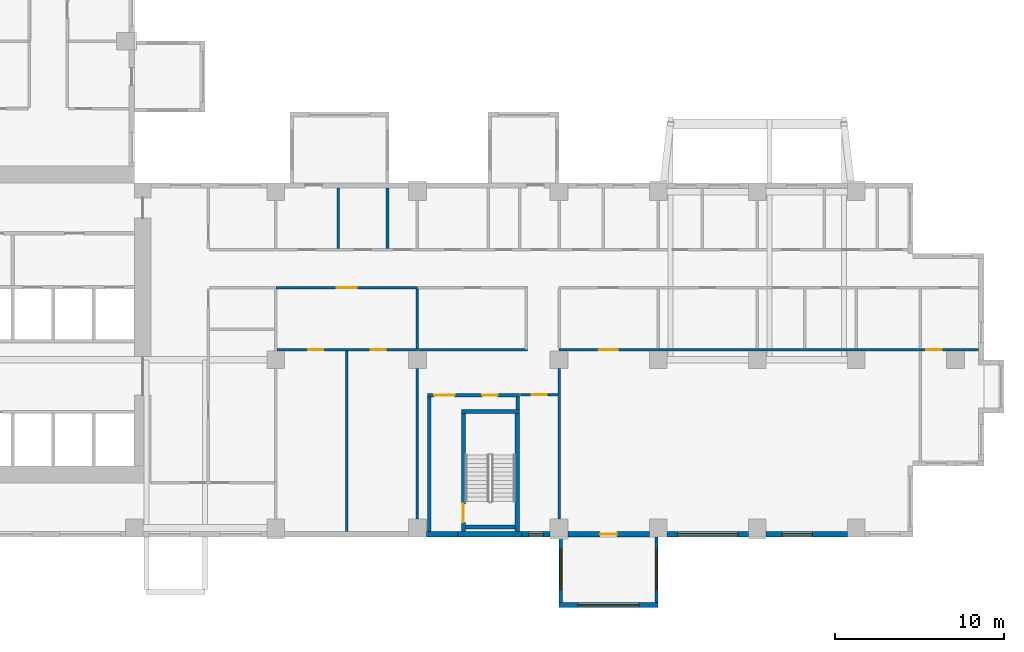
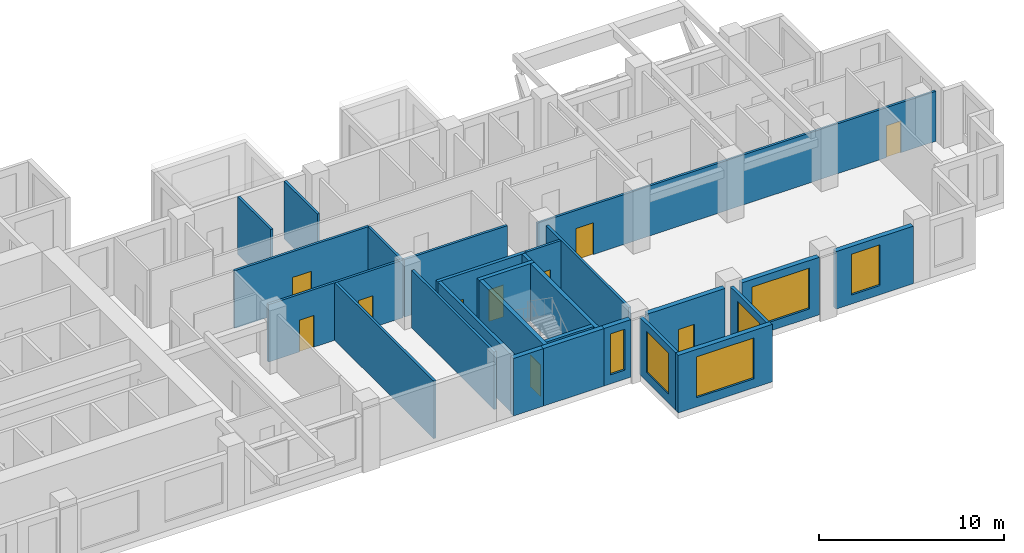
# One storey, part 4 of 15: 27 walls, 10 doors, 6 windows, 16 openings.
"""IFC4 building model written with IfcOpenShell, lengths in metres."""

from ifc_helpers import new_model, si_unit, direction, frame, frame_2d, origin, place, context, subcontext, project, spatial, rectangle, extrude, source, transform, mapped, material, layer, layer_set, type_object, element, fill, save


model = new_model("IFC4")

# Units and contexts
model_context = context("Model", 3, precision=1e-05, world=origin(), true_north=direction((0.0, 1.0)))
body_context = subcontext(model_context, "Body", "Model", "MODEL_VIEW")
ifc_project = project(units=[si_unit("LENGTHUNIT", "METRE"), si_unit("AREAUNIT", "SQUARE_METRE"), si_unit("VOLUMEUNIT", "CUBIC_METRE"), si_unit("PLANEANGLEUNIT", "RADIAN"), si_unit("MASSUNIT", "GRAM", prefix="KILO")], contexts=[model_context])

# Site, building, storey
site_placement = place(None, origin())
site = spatial("IfcSite", under=ifc_project, at=site_placement, CompositionType="ELEMENT")
building_placement = place(site_placement, origin())
building = spatial("IfcBuilding", under=site, at=building_placement, Name="Aurelian Terraces", CompositionType="ELEMENT")
storey_placement = place(building_placement, frame((0.0, 0.0, 107.7)))
storey = spatial("IfcBuildingStorey", under=building, at=storey_placement, Name="L23", CompositionType="ELEMENT", Elevation=107.7)

# Walls
ifc_material_1 = material(Name="Terracotta rainscreen cladding", Category="masonry")
ifc_layer_1 = layer(ifc_material_1, 0.3)
ifc_layer_set_1 = layer_set([ifc_layer_1], Name="EW-300")
wall_type_1 = type_object("IfcWallType", Name="EW-300", PredefinedType="STANDARD", material=ifc_layer_set_1)
wall_1_placement = place(storey_placement, frame((38.325, 0.15, 0.0), z_axis=(0.0, 0.0, 1.0), x_axis=(1.0, 0.0, 0.0)))
element("IfcWall", 1, at=wall_1_placement, inside=storey, type_object=wall_type_1, Name="External wall L23 F01.6", PredefinedType="STANDARD", context=body_context, shape_type="SweptSolid", body=[
    extrude(rectangle(XDim=1.875, YDim=0.3, at=frame_2d((0.9375, 0.0))), origin(), (0.0, 0.0, 1.0), 3.8),
])
ifc_material_2 = material(Name="Gypsum board on steel studs", Category="steel")
ifc_layer_2 = layer(ifc_material_2, 0.15)
ifc_layer_set_2 = layer_set([ifc_layer_2], Name="Partition 150")
wall_type_2 = type_object("IfcWallType", Name="Partition 150", PredefinedType="PARTITIONING", material=ifc_layer_set_2)
wall_2_placement = place(storey_placement, frame((33.6, 0.3, 0.0), z_axis=(0.0, 0.0, 1.0), x_axis=(0.0, 1.0, 0.0)))
element("IfcWall", 2, at=wall_2_placement, inside=storey, type_object=wall_type_2, Name="Partition", PredefinedType="PARTITIONING", context=body_context, shape_type="SweptSolid", body=[
    extrude(rectangle(XDim=10.725, YDim=0.15, at=frame_2d((5.3625, 0.0))), origin(), (0.0, 0.0, 1.0), 3.8),
])
wall_3_placement = place(storey_placement, frame((37.8, 11.175, 0.0), z_axis=(0.0, 0.0, 1.0), x_axis=(0.0, 1.0, 0.0)))
element("IfcWall", 3, at=wall_3_placement, inside=storey, type_object=wall_type_2, Name="Partition", PredefinedType="PARTITIONING", context=body_context, shape_type="SweptSolid", body=[
    extrude(rectangle(XDim=3.525, YDim=0.15, at=frame_2d((1.7625, 0.0))), origin(), (0.0, 0.0, 1.0), 3.8),
])
ifc_material_3 = material(Name="Concrete fc' 40 MPa", Category="concrete")
ifc_layer_3 = layer(ifc_material_3, 0.3)
ifc_layer_set_3 = layer_set([ifc_layer_3], Name="STAIR BAY WALL 300")
wall_type_3 = type_object("IfcWallType", Name="STAIR BAY WALL 300", PredefinedType="SOLIDWALL", material=ifc_layer_set_3)
shared_shape_1 = source(origin(), body_context, "Body", "SweptSolid", [
    extrude(rectangle(XDim=3.8, YDim=0.3, at=frame_2d((1.9, 0.0))), origin(), (0.0, 0.0, 1.0), 3.8),
])
wall_4_placement = place(storey_placement, frame((40.2, 0.15, 0.0), z_axis=(0.0, 0.0, 1.0), x_axis=(1.0, 0.0, 0.0)))
element("IfcWall", 4, at=wall_4_placement, inside=storey, type_object=wall_type_3, Name="Stair bay wall L23 F01.6", PredefinedType="SOLIDWALL", context=body_context, shape_type="MappedRepresentation", body=[
    mapped(shared_shape_1, transform((0.0, 0.0, 0.0), scale=1.0)),
])

# Wall, opening, window
ifc_layer_4 = layer(ifc_material_3, 0.2)
ifc_layer_set_4 = layer_set([ifc_layer_4], Name="BOX BEARING WALL 200")
wall_type_4 = type_object("IfcWallType", Name="BOX BEARING WALL 200", PredefinedType="SOLIDWALL", material=ifc_layer_set_4)
shared_shape_2 = source(origin(), body_context, "Body", "SweptSolid", [
    extrude(rectangle(XDim=3.9, YDim=0.2, at=frame_2d((1.95, 0.0))), origin(), (0.0, 0.0, 1.0), 3.79),
])
wall_5_placement = place(storey_placement, frame((46.3, 0.0, 0.0), z_axis=(0.0, 0.0, 1.0), x_axis=(0.0, -1.0, 0.0)))
wall_5 = element("IfcWall", 5, at=wall_5_placement, inside=storey, type_object=wall_type_4, Name="Box return L23 J31.1", PredefinedType="SOLIDWALL", context=body_context, shape_type="MappedRepresentation", body=[
    mapped(shared_shape_2, transform((0.0, 0.0, 0.0), scale=1.0)),
])
shared_shape_3 = source(origin(), body_context, "Body", "SweptSolid", [
    extrude(rectangle(XDim=2.4, YDim=2.7, at=frame_2d((1.2, 1.35))), frame((0.0, 0.11, 0.0), z_axis=(0.0, -1.0, 0.0), x_axis=(1.0, 0.0, 0.0)), (0.0, 0.0, 1.0), 0.22),
])
opening_1_placement = place(wall_5_placement, frame((0.75, 0.0, 0.6)))
opening_1 = element("IfcOpeningElement", 6, at=opening_1_placement, cuts=wall_5, Name="Opening W2427", PredefinedType="OPENING", context=body_context, shape_type="MappedRepresentation", body=[
    mapped(shared_shape_3, transform((0.0, 0.0, 0.0), scale=1.0)),
])
ifc_material_4 = material(Name="Clear glazing", Category="glass")
window_type_1 = type_object("IfcWindowType", Name="W-2400x2700", PartitioningType="SINGLE_PANEL", PredefinedType="WINDOW", material=ifc_material_4)
shared_shape_4 = source(origin(), body_context, "Body", "SweptSolid", [
    extrude(rectangle(XDim=2.4, YDim=2.7, at=frame_2d((1.2, 1.35))), frame((0.0, 0.03, 0.0), z_axis=(0.0, -1.0, 0.0), x_axis=(1.0, 0.0, 0.0)), (0.0, 0.0, 1.0), 0.06),
])
window_1_placement = place(opening_1_placement, origin())
window_1 = element("IfcWindow", 7, at=window_1_placement, inside=storey, type_object=window_type_1, Name="Window L23 J31-S1", OverallHeight=2.7, OverallWidth=2.4, PartitioningType="SINGLE_PANEL", PredefinedType="WINDOW", context=body_context, shape_type="MappedRepresentation", body=[
    mapped(shared_shape_4, transform((0.0, 0.0, 0.0), scale=1.0)),
])
fill(opening_1, window_1)

wall_6_placement = place(storey_placement, frame((51.98, 0.0, 0.0), z_axis=(0.0, 0.0, 1.0), x_axis=(0.0, -1.0, 0.0)))
wall_6 = element("IfcWall", 8, at=wall_6_placement, inside=storey, type_object=wall_type_4, Name="Box return L23 J31.2", PredefinedType="SOLIDWALL", context=body_context, shape_type="MappedRepresentation", body=[
    mapped(shared_shape_2, transform((0.0, 0.0, 0.0), scale=1.0)),
])
opening_2_placement = place(wall_6_placement, frame((0.75, 0.0, 0.6)))
opening_2 = element("IfcOpeningElement", 9, at=opening_2_placement, cuts=wall_6, Name="Opening W2427", PredefinedType="OPENING", context=body_context, shape_type="MappedRepresentation", body=[
    mapped(shared_shape_3, transform((0.0, 0.0, 0.0), scale=1.0)),
])
window_2_placement = place(opening_2_placement, origin())
window_2 = element("IfcWindow", 10, at=window_2_placement, inside=storey, type_object=window_type_1, Name="Window L23 J31-S2", OverallHeight=2.7, OverallWidth=2.4, PartitioningType="SINGLE_PANEL", PredefinedType="WINDOW", context=body_context, shape_type="MappedRepresentation", body=[
    mapped(shared_shape_4, transform((0.0, 0.0, 0.0), scale=1.0)),
])
fill(opening_2, window_2)

ifc_layer_5 = layer(ifc_material_3, 0.3)
ifc_layer_set_5 = layer_set([ifc_layer_5], Name="BOX BEARING WALL 300")
wall_type_5 = type_object("IfcWallType", Name="BOX BEARING WALL 300", PredefinedType="SOLIDWALL", material=ifc_layer_set_5)
shared_shape_5 = source(origin(), body_context, "Body", "SweptSolid", [
    extrude(rectangle(XDim=5.88, YDim=0.3, at=frame_2d((2.94, 0.0))), origin(), (0.0, 0.0, 1.0), 3.79),
])
wall_7_placement = place(storey_placement, frame((46.2, -4.05, 0.0), z_axis=(0.0, 0.0, 1.0), x_axis=(1.0, 0.0, 0.0)))
wall_7 = element("IfcWall", 11, at=wall_7_placement, inside=storey, type_object=wall_type_5, Name="Box wall L23 J31", PredefinedType="SOLIDWALL", context=body_context, shape_type="MappedRepresentation", body=[
    mapped(shared_shape_5, transform((0.0, 0.0, 0.0), scale=1.0)),
])
shared_shape_6 = source(origin(), body_context, "Body", "SweptSolid", [
    extrude(rectangle(XDim=3.6, YDim=2.7, at=frame_2d((1.8, 1.35))), frame((0.0, 0.16, 0.0), z_axis=(0.0, -1.0, 0.0), x_axis=(1.0, 0.0, 0.0)), (0.0, 0.0, 1.0), 0.32),
])
opening_3_placement = place(wall_7_placement, frame((1.14, 0.0, 0.6)))
opening_3 = element("IfcOpeningElement", 12, at=opening_3_placement, cuts=wall_7, Name="Opening W3627", PredefinedType="OPENING", context=body_context, shape_type="MappedRepresentation", body=[
    mapped(shared_shape_6, transform((0.0, 0.0, 0.0), scale=1.0)),
])
window_type_2 = type_object("IfcWindowType", Name="W-3600x2700", PartitioningType="SINGLE_PANEL", PredefinedType="WINDOW", material=ifc_material_4)
shared_shape_7 = source(origin(), body_context, "Body", "SweptSolid", [
    extrude(rectangle(XDim=3.6, YDim=2.7, at=frame_2d((1.8, 1.35))), frame((0.0, 0.03, 0.0), z_axis=(0.0, -1.0, 0.0), x_axis=(1.0, 0.0, 0.0)), (0.0, 0.0, 1.0), 0.06),
])
window_3_placement = place(opening_3_placement, origin())
window_3 = element("IfcWindow", 13, at=window_3_placement, inside=storey, type_object=window_type_2, Name="Window L23 J31-F1", OverallHeight=2.7, OverallWidth=3.6, PartitioningType="SINGLE_PANEL", PredefinedType="WINDOW", context=body_context, shape_type="MappedRepresentation", body=[
    mapped(shared_shape_7, transform((0.0, 0.0, 0.0), scale=1.0)),
])
fill(opening_3, window_3)

# Wall, opening, door
shared_shape_8 = source(origin(), body_context, "Body", "SweptSolid", [
    extrude(rectangle(XDim=4.83, YDim=0.3, at=frame_2d((2.415, 0.0))), origin(), (0.0, 0.0, 1.0), 3.8),
])
wall_8_placement = place(storey_placement, frame((46.725, 0.15, 0.0), z_axis=(0.0, 0.0, 1.0), x_axis=(1.0, 0.0, 0.0)))
wall_8 = element("IfcWall", 14, at=wall_8_placement, inside=storey, type_object=wall_type_1, Name="External wall L23 F01.7", PredefinedType="STANDARD", context=body_context, shape_type="MappedRepresentation", body=[
    mapped(shared_shape_8, transform((0.0, 0.0, 0.0), scale=1.0)),
])
shared_shape_9 = source(origin(), body_context, "Body", "SweptSolid", [
    extrude(rectangle(XDim=1.0, YDim=2.1, at=frame_2d((0.5, 1.05))), frame((0.0, 0.16, 0.0), z_axis=(0.0, -1.0, 0.0), x_axis=(1.0, 0.0, 0.0)), (0.0, 0.0, 1.0), 0.32),
])
opening_4_placement = place(wall_8_placement, frame((1.915, 0.0, 0.0)))
opening_4 = element("IfcOpeningElement", 15, at=opening_4_placement, cuts=wall_8, Name="Opening 823003", PredefinedType="OPENING", context=body_context, shape_type="MappedRepresentation", body=[
    mapped(shared_shape_9, transform((0.0, 0.0, 0.0), scale=1.0)),
])
ifc_material_5 = material(Name="Timber door leaf", Category="wood")
door_type_1 = type_object("IfcDoorType", Name="Room door 1000x2100 left", OperationType="SINGLE_SWING_LEFT", PredefinedType="DOOR", material=ifc_material_5)
shared_shape_10 = source(origin(), body_context, "Body", "SweptSolid", [
    extrude(rectangle(XDim=1.0, YDim=2.1, at=frame_2d((0.5, 1.05))), frame((0.0, 0.025, 0.0), z_axis=(0.0, -1.0, 0.0), x_axis=(1.0, 0.0, 0.0)), (0.0, 0.0, 1.0), 0.05),
])
door_1_placement = place(opening_4_placement, origin())
door_1 = element("IfcDoor", 16, at=door_1_placement, inside=storey, type_object=door_type_1, Name="Door 823003", OperationType="SINGLE_SWING_LEFT", OverallHeight=2.1, OverallWidth=1.0, PredefinedType="DOOR", context=body_context, shape_type="MappedRepresentation", body=[
    mapped(shared_shape_10, transform((0.0, 0.0, 0.0), scale=1.0)),
])
fill(opening_4, door_1)

# Wall, opening, window
wall_9_placement = place(storey_placement, frame((52.605, 0.15, 0.0), z_axis=(0.0, 0.0, 1.0), x_axis=(1.0, 0.0, 0.0)))
wall_9 = element("IfcWall", 17, at=wall_9_placement, inside=storey, type_object=wall_type_1, Name="External wall L23 F01.8", PredefinedType="STANDARD", context=body_context, shape_type="MappedRepresentation", body=[
    mapped(shared_shape_8, transform((0.0, 0.0, 0.0), scale=1.0)),
])
opening_5_placement = place(wall_9_placement, frame((0.615, 0.0, 0.6)))
opening_5 = element("IfcOpeningElement", 18, at=opening_5_placement, cuts=wall_9, Name="Opening W3627", PredefinedType="OPENING", context=body_context, shape_type="MappedRepresentation", body=[
    mapped(shared_shape_6, transform((0.0, 0.0, 0.0), scale=1.0)),
])
window_4_placement = place(opening_5_placement, origin())
window_4 = element("IfcWindow", 19, at=window_4_placement, inside=storey, type_object=window_type_2, Name="Window L23 L23-F01-08-0", OverallHeight=2.7, OverallWidth=3.6, PartitioningType="SINGLE_PANEL", PredefinedType="WINDOW", context=body_context, shape_type="MappedRepresentation", body=[
    mapped(shared_shape_7, transform((0.0, 0.0, 0.0), scale=1.0)),
])
fill(opening_5, window_4)

wall_10_placement = place(storey_placement, frame((58.485, 0.15, 0.0), z_axis=(0.0, 0.0, 1.0), x_axis=(1.0, 0.0, 0.0)))
wall_10 = element("IfcWall", 20, at=wall_10_placement, inside=storey, type_object=wall_type_1, Name="External wall L23 F01.9", PredefinedType="STANDARD", context=body_context, shape_type="MappedRepresentation", body=[
    mapped(shared_shape_8, transform((0.0, 0.0, 0.0), scale=1.0)),
])
shared_shape_11 = source(origin(), body_context, "Body", "SweptSolid", [
    extrude(rectangle(XDim=1.8, YDim=2.7, at=frame_2d((0.9, 1.35))), frame((0.0, 0.16, 0.0), z_axis=(0.0, -1.0, 0.0), x_axis=(1.0, 0.0, 0.0)), (0.0, 0.0, 1.0), 0.32),
])
opening_6_placement = place(wall_10_placement, frame((0.9525, 0.0, 0.6)))
opening_6 = element("IfcOpeningElement", 21, at=opening_6_placement, cuts=wall_10, Name="Opening W1827", PredefinedType="OPENING", context=body_context, shape_type="MappedRepresentation", body=[
    mapped(shared_shape_11, transform((0.0, 0.0, 0.0), scale=1.0)),
])
window_type_3 = type_object("IfcWindowType", Name="W-1800x2700", PartitioningType="SINGLE_PANEL", PredefinedType="WINDOW", material=ifc_material_4)
shared_shape_12 = source(origin(), body_context, "Body", "SweptSolid", [
    extrude(rectangle(XDim=1.8, YDim=2.7, at=frame_2d((0.9, 1.35))), frame((0.0, 0.03, 0.0), z_axis=(0.0, -1.0, 0.0), x_axis=(1.0, 0.0, 0.0)), (0.0, 0.0, 1.0), 0.06),
])
window_5_placement = place(opening_6_placement, origin())
window_5 = element("IfcWindow", 22, at=window_5_placement, inside=storey, type_object=window_type_3, Name="Window L23 L23-F01-09-0", OverallHeight=2.7, OverallWidth=1.8, PartitioningType="SINGLE_PANEL", PredefinedType="WINDOW", context=body_context, shape_type="MappedRepresentation", body=[
    mapped(shared_shape_12, transform((0.0, 0.0, 0.0), scale=1.0)),
])
fill(opening_6, window_5)

shared_shape_13 = source(origin(), body_context, "Body", "SweptSolid", [
    extrude(rectangle(XDim=1.675, YDim=0.3, at=frame_2d((0.8375, 0.0))), origin(), (0.0, 0.0, 1.0), 3.8),
])
wall_11_placement = place(storey_placement, frame((44.0, 0.15, 0.0), z_axis=(0.0, 0.0, 1.0), x_axis=(1.0, 0.0, 0.0)))
wall_11 = element("IfcWall", 23, at=wall_11_placement, inside=storey, type_object=wall_type_1, Name="External wall L23 F01.6", PredefinedType="STANDARD", context=body_context, shape_type="MappedRepresentation", body=[
    mapped(shared_shape_13, transform((0.0, 0.0, 0.0), scale=1.0)),
])
shared_shape_14 = source(origin(), body_context, "Body", "SweptSolid", [
    extrude(rectangle(XDim=0.9, YDim=2.7, at=frame_2d((0.45, 1.35))), frame((0.0, 0.16, 0.0), z_axis=(0.0, -1.0, 0.0), x_axis=(1.0, 0.0, 0.0)), (0.0, 0.0, 1.0), 0.32),
])
opening_7_placement = place(wall_11_placement, frame((0.3875, 0.0, 0.6)))
opening_7 = element("IfcOpeningElement", 24, at=opening_7_placement, cuts=wall_11, Name="Opening W0927", PredefinedType="OPENING", context=body_context, shape_type="MappedRepresentation", body=[
    mapped(shared_shape_14, transform((0.0, 0.0, 0.0), scale=1.0)),
])
window_type_4 = type_object("IfcWindowType", Name="W-900x2700", PartitioningType="SINGLE_PANEL", PredefinedType="WINDOW", material=ifc_material_4)
shared_shape_15 = source(origin(), body_context, "Body", "SweptSolid", [
    extrude(rectangle(XDim=0.9, YDim=2.7, at=frame_2d((0.45, 1.35))), frame((0.0, 0.03, 0.0), z_axis=(0.0, -1.0, 0.0), x_axis=(1.0, 0.0, 0.0)), (0.0, 0.0, 1.0), 0.06),
])
window_6_placement = place(opening_7_placement, origin())
window_6 = element("IfcWindow", 25, at=window_6_placement, inside=storey, type_object=window_type_4, Name="Window L23 L23-F01-06-P2", OverallHeight=2.7, OverallWidth=0.9, PartitioningType="SINGLE_PANEL", PredefinedType="WINDOW", context=body_context, shape_type="MappedRepresentation", body=[
    mapped(shared_shape_15, transform((0.0, 0.0, 0.0), scale=1.0)),
])
fill(opening_7, window_6)

# Wall, opening, door
ifc_layer_6 = layer(ifc_material_3, 0.25)
ifc_layer_set_6 = layer_set([ifc_layer_6], Name="Stair enclosure wall 250")
wall_type_6 = type_object("IfcWallType", Name="Stair enclosure wall 250", PredefinedType="SOLIDWALL", material=ifc_layer_set_6)
shared_shape_16 = source(origin(), body_context, "Body", "SweptSolid", [
    extrude(rectangle(XDim=7.0, YDim=0.25, at=frame_2d((3.5, 0.0))), origin(), (0.0, 0.0, 1.0), 3.8),
])
wall_12_placement = place(storey_placement, frame((40.525, 0.3, 0.0), z_axis=(0.0, 0.0, 1.0), x_axis=(0.0, 1.0, 0.0)))
wall_12 = element("IfcWall", 26, at=wall_12_placement, inside=storey, type_object=wall_type_6, Name="L23 core wall ST-S2-W", PredefinedType="SOLIDWALL", context=body_context, shape_type="MappedRepresentation", body=[
    mapped(shared_shape_16, transform((0.0, 0.0, 0.0), scale=1.0)),
])
shared_shape_17 = source(origin(), body_context, "Body", "SweptSolid", [
    extrude(rectangle(XDim=1.1, YDim=2.1, at=frame_2d((0.55, 1.05))), frame((0.0, 0.135, 0.0), z_axis=(0.0, -1.0, 0.0), x_axis=(1.0, 0.0, 0.0)), (0.0, 0.0, 1.0), 0.27),
])
opening_8_placement = place(wall_12_placement, frame((0.55, 0.0, 0.0)))
opening_8 = element("IfcOpeningElement", 27, at=opening_8_placement, cuts=wall_12, Name="Opening 62614", PredefinedType="OPENING", context=body_context, shape_type="MappedRepresentation", body=[
    mapped(shared_shape_17, transform((0.0, 0.0, 0.0), scale=1.0)),
])
ifc_material_6 = material(Name="Steel door leaf", Category="steel")
door_type_2 = type_object("IfcDoorType", Name="Core fire door 1100x2100", OperationType="SINGLE_SWING_LEFT", PredefinedType="DOOR", material=ifc_material_6)
shared_shape_18 = source(origin(), body_context, "Body", "SweptSolid", [
    extrude(rectangle(XDim=1.1, YDim=2.1, at=frame_2d((0.55, 1.05))), frame((0.0, 0.025, 0.0), z_axis=(0.0, -1.0, 0.0), x_axis=(1.0, 0.0, 0.0)), (0.0, 0.0, 1.0), 0.05),
])
door_2_placement = place(opening_8_placement, origin())
door_2 = element("IfcDoor", 28, at=door_2_placement, inside=storey, type_object=door_type_2, Name="Stair door 62614", OperationType="SINGLE_SWING_LEFT", OverallHeight=2.1, OverallWidth=1.1, PredefinedType="DOOR", context=body_context, shape_type="MappedRepresentation", body=[
    mapped(shared_shape_18, transform((0.0, 0.0, 0.0), scale=1.0)),
])
fill(opening_8, door_2)

# Walls
wall_13_placement = place(storey_placement, frame((43.725, 0.3, 0.0), z_axis=(0.0, 0.0, 1.0), x_axis=(0.0, 1.0, 0.0)))
element("IfcWall", 29, at=wall_13_placement, inside=storey, type_object=wall_type_6, Name="L23 core wall ST-S2-E", PredefinedType="SOLIDWALL", context=body_context, shape_type="MappedRepresentation", body=[
    mapped(shared_shape_16, transform((0.0, 0.0, 0.0), scale=1.0)),
])
shared_shape_19 = source(origin(), body_context, "Body", "SweptSolid", [
    extrude(rectangle(XDim=3.45, YDim=0.25, at=frame_2d((1.725, 0.0))), origin(), (0.0, 0.0, 1.0), 3.8),
])
wall_14_placement = place(storey_placement, frame((40.4, 7.425, 0.0), z_axis=(0.0, 0.0, 1.0), x_axis=(1.0, 0.0, 0.0)))
element("IfcWall", 30, at=wall_14_placement, inside=storey, type_object=wall_type_6, Name="L23 core wall ST-S2-N", PredefinedType="SOLIDWALL", context=body_context, shape_type="MappedRepresentation", body=[
    mapped(shared_shape_19, transform((0.0, 0.0, 0.0), scale=1.0)),
])
shared_shape_20 = source(origin(), body_context, "Body", "SweptSolid", [
    extrude(rectangle(XDim=2.95, YDim=0.25, at=frame_2d((1.475, 0.0))), origin(), (0.0, 0.0, 1.0), 3.8),
])
wall_15_placement = place(storey_placement, frame((40.65, 0.575, 0.0), z_axis=(0.0, 0.0, 1.0), x_axis=(1.0, 0.0, 0.0)))
element("IfcWall", 31, at=wall_15_placement, inside=storey, type_object=wall_type_6, Name="L23 core wall ST-S2-SS", PredefinedType="SOLIDWALL", context=body_context, shape_type="MappedRepresentation", body=[
    mapped(shared_shape_20, transform((0.0, 0.0, 0.0), scale=1.0)),
])
ifc_layer_7 = layer(ifc_material_2, 0.2)
ifc_layer_set_7 = layer_set([ifc_layer_7], Name="Core partition 200")
wall_type_7 = type_object("IfcWallType", Name="Core partition 200", PredefinedType="PARTITIONING", material=ifc_layer_set_7)
shared_shape_21 = source(origin(), body_context, "Body", "SweptSolid", [
    extrude(rectangle(XDim=8.0, YDim=0.2, at=frame_2d((4.0, 0.0))), origin(), (0.0, 0.0, 1.0), 3.8),
])
wall_16_placement = place(storey_placement, frame((38.5, 0.3, 0.0), z_axis=(0.0, 0.0, 1.0), x_axis=(0.0, 1.0, 0.0)))
element("IfcWall", 32, at=wall_16_placement, inside=storey, type_object=wall_type_7, Name="L23 core wall ST-S2-VW", PredefinedType="PARTITIONING", context=body_context, shape_type="MappedRepresentation", body=[
    mapped(shared_shape_21, transform((0.0, 0.0, 0.0), scale=1.0)),
])

# Wall, openings, doors
shared_shape_22 = source(origin(), body_context, "Body", "SweptSolid", [
    extrude(rectangle(XDim=5.45, YDim=0.2, at=frame_2d((2.725, 0.0))), origin(), (0.0, 0.0, 1.0), 3.8),
])
wall_17_placement = place(storey_placement, frame((38.4, 8.4, 0.0), z_axis=(0.0, 0.0, 1.0), x_axis=(1.0, 0.0, 0.0)))
wall_17 = element("IfcWall", 33, at=wall_17_placement, inside=storey, type_object=wall_type_7, Name="L23 core wall ST-S2-BN", PredefinedType="PARTITIONING", context=body_context, shape_type="MappedRepresentation", body=[
    mapped(shared_shape_22, transform((0.0, 0.0, 0.0), scale=1.0)),
])
shared_shape_23 = source(origin(), body_context, "Body", "SweptSolid", [
    extrude(rectangle(XDim=1.2, YDim=2.1, at=frame_2d((0.6, 1.05))), frame((0.0, 0.11, 0.0), z_axis=(0.0, -1.0, 0.0), x_axis=(1.0, 0.0, 0.0)), (0.0, 0.0, 1.0), 0.22),
])
opening_9_placement = place(wall_17_placement, frame((0.4, 0.0, 0.0)))
opening_9 = element("IfcOpeningElement", 34, at=opening_9_placement, cuts=wall_17, Name="Opening 62615", PredefinedType="OPENING", context=body_context, shape_type="MappedRepresentation", body=[
    mapped(shared_shape_23, transform((0.0, 0.0, 0.0), scale=1.0)),
])
shared_shape_24 = source(origin(), body_context, "Body", "SweptSolid", [
    extrude(rectangle(XDim=0.9, YDim=2.1, at=frame_2d((0.45, 1.05))), frame((0.0, 0.11, 0.0), z_axis=(0.0, -1.0, 0.0), x_axis=(1.0, 0.0, 0.0)), (0.0, 0.0, 1.0), 0.22),
])
opening_10_placement = place(wall_17_placement, frame((3.25, 0.0, 0.0)))
opening_10 = element("IfcOpeningElement", 35, at=opening_10_placement, cuts=wall_17, Name="Opening 62616", PredefinedType="OPENING", context=body_context, shape_type="MappedRepresentation", body=[
    mapped(shared_shape_24, transform((0.0, 0.0, 0.0), scale=1.0)),
])
door_type_3 = type_object("IfcDoorType", Name="Core riser door 900x2100", OperationType="SINGLE_SWING_LEFT", PredefinedType="DOOR", material=ifc_material_6)
shared_shape_25 = source(origin(), body_context, "Body", "SweptSolid", [
    extrude(rectangle(XDim=0.9, YDim=2.1, at=frame_2d((0.45, 1.05))), frame((0.0, 0.025, 0.0), z_axis=(0.0, -1.0, 0.0), x_axis=(1.0, 0.0, 0.0)), (0.0, 0.0, 1.0), 0.05),
])
door_3_placement = place(opening_10_placement, origin())
door_3 = element("IfcDoor", 36, at=door_3_placement, inside=storey, type_object=door_type_3, Name="Riser door 62616", OperationType="SINGLE_SWING_LEFT", OverallHeight=2.1, OverallWidth=0.9, PredefinedType="DOOR", context=body_context, shape_type="MappedRepresentation", body=[
    mapped(shared_shape_25, transform((0.0, 0.0, 0.0), scale=1.0)),
])
fill(opening_10, door_3)
door_type_4 = type_object("IfcDoorType", Name="Core fire door 1200x2100 right", OperationType="SINGLE_SWING_RIGHT", PredefinedType="DOOR", material=ifc_material_6)
shared_shape_26 = source(origin(), body_context, "Body", "SweptSolid", [
    extrude(rectangle(XDim=1.2, YDim=2.1, at=frame_2d((0.6, 1.05))), frame((0.0, 0.025, 0.0), z_axis=(0.0, -1.0, 0.0), x_axis=(1.0, 0.0, 0.0)), (0.0, 0.0, 1.0), 0.05),
])
door_4_placement = place(opening_9_placement, origin())
door_4 = element("IfcDoor", 37, at=door_4_placement, inside=storey, type_object=door_type_4, Name="Vestibule door 62615", OperationType="SINGLE_SWING_RIGHT", OverallHeight=2.1, OverallWidth=1.2, PredefinedType="DOOR", context=body_context, shape_type="MappedRepresentation", body=[
    mapped(shared_shape_26, transform((0.0, 0.0, 0.0), scale=1.0)),
])
fill(opening_9, door_4)

# Walls
shared_shape_27 = source(origin(), body_context, "Body", "SweptSolid", [
    extrude(rectangle(XDim=0.75, YDim=0.2, at=frame_2d((0.375, 0.0))), origin(), (0.0, 0.0, 1.0), 3.8),
])
wall_18_placement = place(storey_placement, frame((43.75, 7.55, 0.0), z_axis=(0.0, 0.0, 1.0), x_axis=(0.0, 1.0, 0.0)))
element("IfcWall", 38, at=wall_18_placement, inside=storey, type_object=wall_type_7, Name="L23 core wall ST-S2-RE", PredefinedType="PARTITIONING", context=body_context, shape_type="MappedRepresentation", body=[
    mapped(shared_shape_27, transform((0.0, 0.0, 0.0), scale=1.0)),
])
shared_shape_28 = source(origin(), body_context, "Body", "SweptSolid", [
    extrude(rectangle(XDim=6.45, YDim=0.15, at=frame_2d((3.225, 0.0))), origin(), (0.0, 0.0, 1.0), 3.8),
])
wall_19_placement = place(storey_placement, frame((37.875, 11.1, 0.0), z_axis=(0.0, 0.0, 1.0), x_axis=(1.0, 0.0, 0.0)))
element("IfcWall", 39, at=wall_19_placement, inside=storey, type_object=wall_type_2, Name="Partition", PredefinedType="PARTITIONING", context=body_context, shape_type="MappedRepresentation", body=[
    mapped(shared_shape_28, transform((0.0, 0.0, 0.0), scale=1.0)),
])
shared_shape_29 = source(origin(), body_context, "Body", "SweptSolid", [
    extrude(rectangle(XDim=3.6, YDim=0.15, at=frame_2d((1.8, 0.0))), origin(), (0.0, 0.0, 1.0), 3.8),
])
for number, where, z_axis, x_axis, name in (
    (40, (33.1133, 20.7, 0.0), (0.0, 0.0, 1.0), (0.0, -1.0, 0.0), "Partition"),
    (41, (36.024, 20.7, 0.0), (0.0, 0.0, 1.0), (0.0, -1.0, 0.0), "Partition"),
):
    element("IfcWall", number, at=place(storey_placement, frame(where, z_axis=z_axis, x_axis=x_axis)), inside=storey, type_object=wall_type_2, Name=name, PredefinedType="PARTITIONING", context=body_context, shape_type="MappedRepresentation", body=[
        mapped(shared_shape_29, transform((0.0, 0.0, 0.0), scale=1.0)),
    ])

# Wall, openings, doors
shared_shape_30 = source(origin(), body_context, "Body", "SweptSolid", [
    extrude(rectangle(XDim=8.4, YDim=0.15, at=frame_2d((4.2, 0.0))), origin(), (0.0, 0.0, 1.0), 3.8),
])
wall_20_placement = place(storey_placement, frame((37.8, 11.1, 0.0), z_axis=(0.0, 0.0, 1.0), x_axis=(-1.0, 0.0, 0.0)))
wall_20 = element("IfcWall", 42, at=wall_20_placement, inside=storey, type_object=wall_type_2, Name="Partition", PredefinedType="PARTITIONING", context=body_context, shape_type="MappedRepresentation", body=[
    mapped(shared_shape_30, transform((0.0, 0.0, 0.0), scale=1.0)),
])
shared_shape_31 = source(origin(), body_context, "Body", "SweptSolid", [
    extrude(rectangle(XDim=0.9, YDim=2.1, at=frame_2d((0.45, 1.05))), frame((0.0, 0.085, 0.0), z_axis=(0.0, -1.0, 0.0), x_axis=(1.0, 0.0, 0.0)), (0.0, 0.0, 1.0), 0.17),
])
opening_11_placement = place(wall_20_placement, frame((5.575, 0.0, 0.0)))
opening_11 = element("IfcOpeningElement", 43, at=opening_11_placement, cuts=wall_20, Name="Opening 723008", PredefinedType="OPENING", context=body_context, shape_type="MappedRepresentation", body=[
    mapped(shared_shape_31, transform((0.0, 0.0, 0.0), scale=1.0)),
])
opening_12_placement = place(wall_20_placement, frame((1.875, 0.0, 0.0)))
opening_12 = element("IfcOpeningElement", 44, at=opening_12_placement, cuts=wall_20, Name="Opening 723009", PredefinedType="OPENING", context=body_context, shape_type="MappedRepresentation", body=[
    mapped(shared_shape_31, transform((0.0, 0.0, 0.0), scale=1.0)),
])
door_type_5 = type_object("IfcDoorType", Name="Room door 900x2100 right", OperationType="SINGLE_SWING_RIGHT", PredefinedType="DOOR", material=ifc_material_5)
door_5_placement = place(opening_11_placement, origin())
door_5 = element("IfcDoor", 45, at=door_5_placement, inside=storey, type_object=door_type_5, Name="Door 723008", OperationType="SINGLE_SWING_RIGHT", OverallHeight=2.1, OverallWidth=0.9, PredefinedType="DOOR", context=body_context, shape_type="MappedRepresentation", body=[
    mapped(shared_shape_25, transform((0.0, 0.0, 0.0), scale=1.0)),
])
fill(opening_11, door_5)
door_type_6 = type_object("IfcDoorType", Name="Room door 900x2100 left", OperationType="SINGLE_SWING_LEFT", PredefinedType="DOOR", material=ifc_material_5)
door_6_placement = place(opening_12_placement, origin())
door_6 = element("IfcDoor", 46, at=door_6_placement, inside=storey, type_object=door_type_6, Name="Door 723009", OperationType="SINGLE_SWING_LEFT", OverallHeight=2.1, OverallWidth=0.9, PredefinedType="DOOR", context=body_context, shape_type="MappedRepresentation", body=[
    mapped(shared_shape_25, transform((0.0, 0.0, 0.0), scale=1.0)),
])
fill(opening_12, door_6)

# Wall, opening, door
ifc_layer_8 = layer(ifc_material_2, 0.15)
ifc_layer_set_8 = layer_set([ifc_layer_8], Name="Fire partition 150")
wall_type_8 = type_object("IfcWallType", Name="Fire partition 150", PredefinedType="PARTITIONING", material=ifc_layer_set_8)
wall_21_placement = place(storey_placement, frame((37.8, 14.775, 0.0), z_axis=(0.0, 0.0, 1.0), x_axis=(-1.0, 0.0, 0.0)))
wall_21 = element("IfcWall", 47, at=wall_21_placement, inside=storey, type_object=wall_type_8, Name="Corridor wall", PredefinedType="PARTITIONING", context=body_context, shape_type="MappedRepresentation", body=[
    mapped(shared_shape_30, transform((0.0, 0.0, 0.0), scale=1.0)),
])
shared_shape_32 = source(origin(), body_context, "Body", "SweptSolid", [
    extrude(rectangle(XDim=1.2, YDim=2.1, at=frame_2d((0.6, 1.05))), frame((0.0, 0.085, 0.0), z_axis=(0.0, -1.0, 0.0), x_axis=(1.0, 0.0, 0.0)), (0.0, 0.0, 1.0), 0.17),
])
opening_13_placement = place(wall_21_placement, frame((3.6, 0.0, 0.0)))
opening_13 = element("IfcOpeningElement", 48, at=opening_13_placement, cuts=wall_21, Name="Opening 723007", PredefinedType="OPENING", context=body_context, shape_type="MappedRepresentation", body=[
    mapped(shared_shape_32, transform((0.0, 0.0, 0.0), scale=1.0)),
])
door_type_7 = type_object("IfcDoorType", Name="Room door 1200x2100 left", OperationType="SINGLE_SWING_LEFT", PredefinedType="DOOR", material=ifc_material_5)
door_7_placement = place(opening_13_placement, origin())
door_7 = element("IfcDoor", 49, at=door_7_placement, inside=storey, type_object=door_type_7, Name="Door 723007", OperationType="SINGLE_SWING_LEFT", OverallHeight=2.1, OverallWidth=1.2, PredefinedType="DOOR", context=body_context, shape_type="MappedRepresentation", body=[
    mapped(shared_shape_26, transform((0.0, 0.0, 0.0), scale=1.0)),
])
fill(opening_13, door_7)

shared_shape_33 = source(origin(), body_context, "Body", "SweptSolid", [
    extrude(rectangle(XDim=2.2, YDim=0.15, at=frame_2d((1.1, 0.0))), origin(), (0.0, 0.0, 1.0), 3.8),
])
wall_22_placement = place(storey_placement, frame((46.125, 8.425, 0.0), z_axis=(0.0, 0.0, 1.0), x_axis=(-1.0, 0.0, 0.0)))
wall_22 = element("IfcWall", 50, at=wall_22_placement, inside=storey, type_object=wall_type_2, Name="Partition", PredefinedType="PARTITIONING", context=body_context, shape_type="MappedRepresentation", body=[
    mapped(shared_shape_33, transform((0.0, 0.0, 0.0), scale=1.0)),
])
opening_14_placement = place(wall_22_placement, frame((0.65, 0.0, 0.0)))
opening_14 = element("IfcOpeningElement", 51, at=opening_14_placement, cuts=wall_22, Name="Opening 723006", PredefinedType="OPENING", context=body_context, shape_type="MappedRepresentation", body=[
    mapped(shared_shape_31, transform((0.0, 0.0, 0.0), scale=1.0)),
])
door_8_placement = place(opening_14_placement, origin())
door_8 = element("IfcDoor", 52, at=door_8_placement, inside=storey, type_object=door_type_5, Name="Door 723006", OperationType="SINGLE_SWING_RIGHT", OverallHeight=2.1, OverallWidth=0.9, PredefinedType="DOOR", context=body_context, shape_type="MappedRepresentation", body=[
    mapped(shared_shape_25, transform((0.0, 0.0, 0.0), scale=1.0)),
])
fill(opening_14, door_8)

# Wall, openings, doors
shared_shape_34 = source(origin(), body_context, "Body", "SweptSolid", [
    extrude(rectangle(XDim=24.9, YDim=0.15, at=frame_2d((12.45, 0.0))), origin(), (0.0, 0.0, 1.0), 3.3),
])
wall_23_placement = place(storey_placement, frame((71.1, 11.1, 0.0), z_axis=(0.0, 0.0, 1.0), x_axis=(-1.0, 0.0, 0.0)))
wall_23 = element("IfcWall", 53, at=wall_23_placement, inside=storey, type_object=wall_type_2, Name="Partition", PredefinedType="PARTITIONING", context=body_context, shape_type="MappedRepresentation", body=[
    mapped(shared_shape_34, transform((0.0, 0.0, 0.0), scale=1.0)),
])
shared_shape_35 = source(origin(), body_context, "Body", "SweptSolid", [
    extrude(rectangle(XDim=1.1, YDim=2.1, at=frame_2d((0.55, 1.05))), frame((0.0, 0.085, 0.0), z_axis=(0.0, -1.0, 0.0), x_axis=(1.0, 0.0, 0.0)), (0.0, 0.0, 1.0), 0.17),
])
opening_15_placement = place(wall_23_placement, frame((21.41, 0.0, 0.0)))
opening_15 = element("IfcOpeningElement", 54, at=opening_15_placement, cuts=wall_23, Name="Opening 723011", PredefinedType="OPENING", context=body_context, shape_type="MappedRepresentation", body=[
    mapped(shared_shape_35, transform((0.0, 0.0, 0.0), scale=1.0)),
])
opening_16_placement = place(wall_23_placement, frame((2.205, 0.0, 0.0)))
opening_16 = element("IfcOpeningElement", 55, at=opening_16_placement, cuts=wall_23, Name="Opening 723017", PredefinedType="OPENING", context=body_context, shape_type="MappedRepresentation", body=[
    mapped(shared_shape_31, transform((0.0, 0.0, 0.0), scale=1.0)),
])
door_9_placement = place(opening_16_placement, origin())
door_9 = element("IfcDoor", 56, at=door_9_placement, inside=storey, type_object=door_type_5, Name="Door 723017", OperationType="SINGLE_SWING_RIGHT", OverallHeight=2.1, OverallWidth=0.9, PredefinedType="DOOR", context=body_context, shape_type="MappedRepresentation", body=[
    mapped(shared_shape_25, transform((0.0, 0.0, 0.0), scale=1.0)),
])
fill(opening_16, door_9)
door_type_8 = type_object("IfcDoorType", Name="Room door 1100x2100 right", OperationType="SINGLE_SWING_RIGHT", PredefinedType="DOOR", material=ifc_material_5)
door_10_placement = place(opening_15_placement, origin())
door_10 = element("IfcDoor", 57, at=door_10_placement, inside=storey, type_object=door_type_8, Name="Door 723011", OperationType="SINGLE_SWING_RIGHT", OverallHeight=2.1, OverallWidth=1.1, PredefinedType="DOOR", context=body_context, shape_type="MappedRepresentation", body=[
    mapped(shared_shape_18, transform((0.0, 0.0, 0.0), scale=1.0)),
])
fill(opening_15, door_10)

# Walls
shared_shape_36 = source(origin(), body_context, "Body", "SweptSolid", [
    extrude(rectangle(XDim=8.927, YDim=0.15, at=frame_2d((4.4635, 0.0))), origin(), (0.0, 0.0, 1.0), 3.8),
])
for number, where, z_axis, x_axis, name in (
    (58, (37.8, 1.049, 0.0), (0.0, 0.0, 1.0), (0.0, 1.0, 0.0), "Partition"),
    (59, (46.2, 1.049, 0.0), (0.0, 0.0, 1.0), (0.0, 1.0, 0.0), "Partition"),
):
    element("IfcWall", number, at=place(storey_placement, frame(where, z_axis=z_axis, x_axis=x_axis)), inside=storey, type_object=wall_type_2, Name=name, PredefinedType="PARTITIONING", context=body_context, shape_type="MappedRepresentation", body=[
        mapped(shared_shape_36, transform((0.0, 0.0, 0.0), scale=1.0)),
    ])

save(model, "model.ifc")
